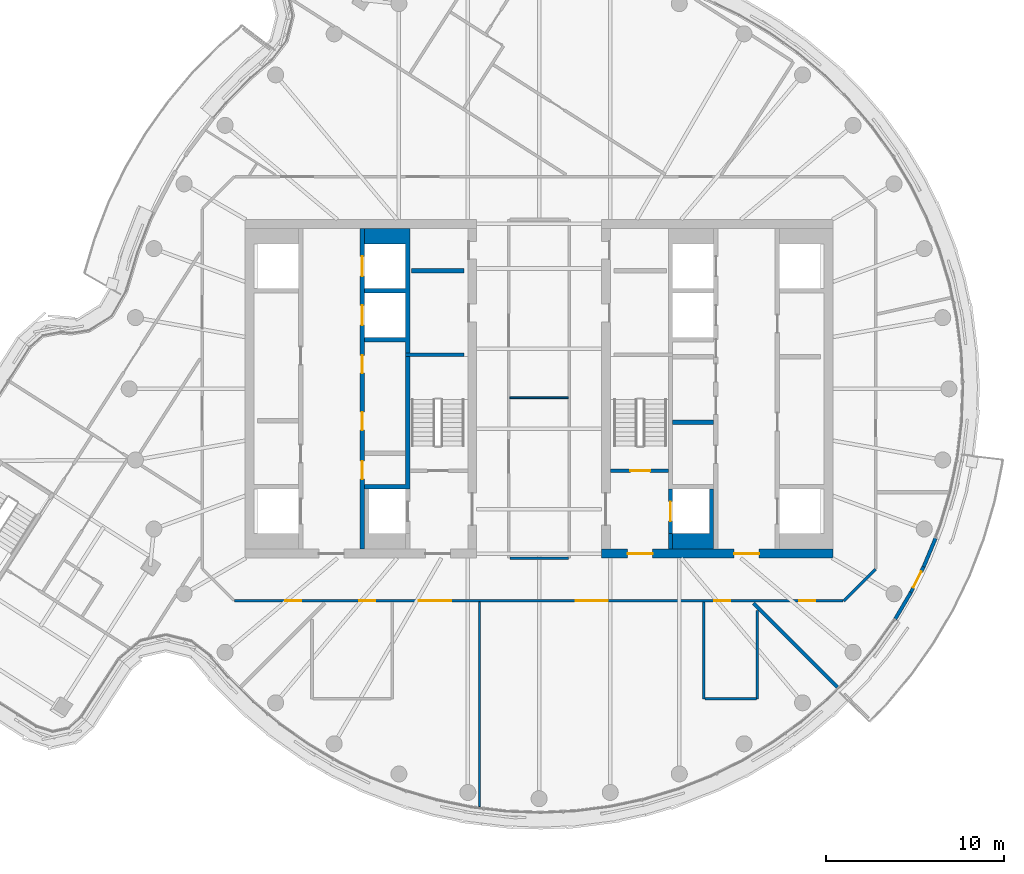
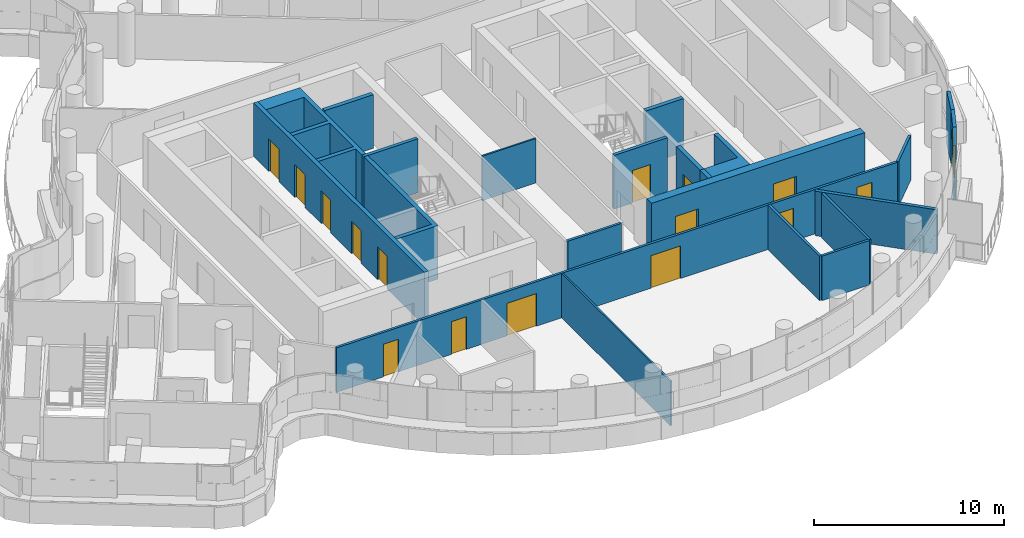
# One storey, part 18 of 27: 22 walls, 16 doors, 16 openings.
"""IFC4 building model written with IfcOpenShell, lengths in metres."""

from ifc_helpers import new_model, si_unit, direction, frame, frame_2d, origin, place, context, subcontext, project, spatial, polyline, rectangle, outline, extrude, material, layer, layer_set, type_object, element, fill, save


model = new_model("IFC4")

# Units and contexts
model_context = context("Model", 3, precision=1e-05, world=origin(), true_north=direction((0.0, 1.0)))
body_context = subcontext(model_context, "Body", "Model", "MODEL_VIEW")
ifc_project = project(units=[si_unit("LENGTHUNIT", "METRE"), si_unit("AREAUNIT", "SQUARE_METRE"), si_unit("VOLUMEUNIT", "CUBIC_METRE"), si_unit("PLANEANGLEUNIT", "RADIAN"), si_unit("MASSUNIT", "GRAM", prefix="KILO")], contexts=[model_context])

# Site, building, storey
site_placement = place(None, origin())
site = spatial("IfcSite", under=ifc_project, at=site_placement, CompositionType="ELEMENT")
building_placement = place(site_placement, origin())
building = spatial("IfcBuilding", under=site, at=building_placement, Name="Tamarind Cross Interchange Tower", CompositionType="ELEMENT")
storey_placement = place(building_placement, frame((0.0, 0.0, 241.5)))
storey = spatial("IfcBuildingStorey", under=building, at=storey_placement, Name="L61", CompositionType="ELEMENT", Elevation=241.5)

# Walls
ifc_material_1 = material(Name="Concrete C40", Category="concrete")
ifc_layer_1 = layer(ifc_material_1, 0.199951171875)
ifc_layer_set_1 = layer_set([ifc_layer_1], Name="Concrete C40")
wall_type_1 = type_object("IfcWallType", Name="Balcony and garden door wall", PredefinedType="SOLIDWALL", material=ifc_layer_set_1)
wall_1_placement = place(storey_placement, frame((19.984130859375, -12.916748046875, 0.0), z_axis=(0.0, 0.0, 1.0), x_axis=(0.508156160985, 0.861264951135, 0.0)))
element("IfcWall", 1, at=wall_1_placement, inside=storey, type_object=wall_type_1, Name="EXW-L61-02-D11L", PredefinedType="SOLIDWALL", context=body_context, shape_type="SweptSolid", body=[
    extrude(rectangle(XDim=1.73681640625, YDim=0.199951171875, at=frame_2d((0.868408203125, 0.0))), origin(), (0.0, 0.0, 1.0), 3.4599609375),
])
wall_2_placement = place(storey_placement, frame((21.5791015625, -9.989013671875, 0.0), z_axis=(0.0, 0.0, 1.0), x_axis=(0.385174693912, 0.92284367862, 0.0)))
element("IfcWall", 2, at=wall_2_placement, inside=storey, type_object=wall_type_1, Name="EXW-L61-02-D11R", PredefinedType="SOLIDWALL", context=body_context, shape_type="SweptSolid", body=[
    extrude(rectangle(XDim=1.7353515625, YDim=0.199951171875, at=frame_2d((0.86767578125, 0.0))), origin(), (0.0, 0.0, 1.0), 3.4599609375),
])

# Wall, opening, door
wall_3_placement = place(storey_placement, frame((20.86669921875, -11.4208984375, 0.0), z_axis=(0.0, 0.0, 1.0), x_axis=(0.445441942317, 0.895310826487, 0.0)))
wall_3 = element("IfcWall", 3, at=wall_3_placement, inside=storey, type_object=wall_type_1, Name="EXW-L61-02-D11", PredefinedType="SOLIDWALL", context=body_context, shape_type="SweptSolid", body=[
    extrude(rectangle(XDim=1.599365234375, YDim=0.199951171875, at=frame_2d((0.7998046875, 0.0))), origin(), (0.0, 0.0, 1.0), 3.4599609375),
])
opening_1_placement = place(wall_3_placement, frame((0.299560546875, 0.0, 0.0)))
opening_1 = element("IfcOpeningElement", 4, at=opening_1_placement, cuts=wall_3, Name="Opening D2", PredefinedType="OPENING", context=body_context, shape_type="SweptSolid", body=[
    extrude(rectangle(XDim=1.0, YDim=2.39990234375, at=frame_2d((0.5, 1.199951171875))), frame((0.0, 0.10986328125, 0.0), z_axis=(0.0, -1.0, 0.0), x_axis=(1.0, 0.0, 0.0)), (0.0, 0.0, 1.0), 0.219970703125),
])
ifc_material_2 = material(Name="Aluminium and toughened glass", Category="aluminium")
door_type_1 = type_object("IfcDoorType", Name="Balcony and garden door", OperationType="SINGLE_SWING_LEFT", PredefinedType="DOOR", material=ifc_material_2)
door_1_placement = place(opening_1_placement, origin())
door_1 = element("IfcDoor", 5, at=door_1_placement, inside=storey, type_object=door_type_1, Name="DOR-L61-02-11", OperationType="SINGLE_SWING_LEFT", OverallHeight=2.39990234375, OverallWidth=1.0, PredefinedType="DOOR", context=body_context, shape_type="SweptSolid", body=[
    extrude(rectangle(XDim=1.0, YDim=2.39990234375, at=frame_2d((0.5, 1.199951171875))), frame((0.0, 0.02490234375, 0.0), z_axis=(0.0, -1.0, 0.0), x_axis=(1.0, 0.0, 0.0)), (0.0, 0.0, 1.0), 0.050048828125),
])
fill(opening_1, door_1)

# Wall, openings, doors
ifc_material_3 = material(Name="Concrete C50", Category="concrete")
ifc_layer_2 = layer(ifc_material_3, 0.5)
ifc_layer_set_2 = layer_set([ifc_layer_2], Name="Concrete C50")
wall_type_2 = type_object("IfcWallType", Name="Core wall 500 mm Concrete C50", PredefinedType="SHEAR", material=ifc_layer_set_2)
wall_4_placement = place(storey_placement, frame((16.5, -9.25, 0.0), z_axis=(0.0, 0.0, 1.0), x_axis=(-1.0, 0.0, 0.0)))
wall_4 = element("IfcWall", 6, at=wall_4_placement, inside=storey, type_object=wall_type_2, Name="Core wall CWL-L61-E-S", PredefinedType="SHEAR", context=body_context, shape_type="SweptSolid", body=[
    extrude(rectangle(XDim=13.0, YDim=0.5, at=frame_2d((6.5, 0.0))), origin(), (0.0, 0.0, 1.0), 3.4599609375),
])
opening_2_placement = place(wall_4_placement, frame((4.14990234375, 0.0, 0.0)))
opening_2 = element("IfcOpeningElement", 7, at=opening_2_placement, cuts=wall_4, Name="Opening DCE1", PredefinedType="OPENING", context=body_context, shape_type="SweptSolid", body=[
    extrude(rectangle(XDim=1.39990234375, YDim=2.10009765625, at=frame_2d((0.699951171875, 1.050048828125))), frame((0.0, 0.260009765625, 0.0), z_axis=(0.0, -1.0, 0.0), x_axis=(1.0, 0.0, 0.0)), (0.0, 0.0, 1.0), 0.52001953125),
])
opening_3_placement = place(wall_4_placement, frame((10.125, 0.0, 0.0)))
opening_3 = element("IfcOpeningElement", 8, at=opening_3_placement, cuts=wall_4, Name="Opening DCEF", PredefinedType="OPENING", context=body_context, shape_type="SweptSolid", body=[
    extrude(rectangle(XDim=1.39990234375, YDim=2.10009765625, at=frame_2d((0.699951171875, 1.050048828125))), frame((0.0, 0.260009765625, 0.0), z_axis=(0.0, -1.0, 0.0), x_axis=(1.0, 0.0, 0.0)), (0.0, 0.0, 1.0), 0.52001953125),
])
ifc_material_4 = material(Name="Steel, fire-resisting", Category="steel")
door_type_2 = type_object("IfcDoorType", Name="Core fire door 1400 x 2100 FD90", OperationType="SINGLE_SWING_LEFT", PredefinedType="DOOR", material=ifc_material_4)
door_2_placement = place(opening_2_placement, origin())
door_2 = element("IfcDoor", 9, at=door_2_placement, inside=storey, type_object=door_type_2, Name="L61 lift lobby door", OperationType="SINGLE_SWING_LEFT", OverallHeight=2.10009765625, OverallWidth=1.39990234375, PredefinedType="DOOR", context=body_context, shape_type="SweptSolid", body=[
    extrude(rectangle(XDim=1.39990234375, YDim=2.10009765625, at=frame_2d((0.699951171875, 1.050048828125))), frame((0.0, 0.02490234375, 0.0), z_axis=(0.0, -1.0, 0.0), x_axis=(1.0, 0.0, 0.0)), (0.0, 0.0, 1.0), 0.050048828125),
])
fill(opening_2, door_2)
door_3_placement = place(opening_3_placement, origin())
door_3 = element("IfcDoor", 10, at=door_3_placement, inside=storey, type_object=door_type_2, Name="L61 firefighting lobby end door", OperationType="SINGLE_SWING_LEFT", OverallHeight=2.10009765625, OverallWidth=1.39990234375, PredefinedType="DOOR", context=body_context, shape_type="SweptSolid", body=[
    extrude(rectangle(XDim=1.39990234375, YDim=2.10009765625, at=frame_2d((0.699951171875, 1.050048828125))), frame((0.0, 0.02490234375, 0.0), z_axis=(0.0, -1.0, 0.0), x_axis=(1.0, 0.0, 0.0)), (0.0, 0.0, 1.0), 0.050048828125),
])
fill(opening_3, door_3)

# Walls
ifc_layer_3 = layer(ifc_material_3, 0.199951171875)
ifc_layer_set_3 = layer_set([ifc_layer_3], Name="Concrete C50")
wall_type_3 = type_object("IfcWallType", Name="Core web wall 200 mm Concrete C50", PredefinedType="SHEAR", material=ifc_layer_set_3)
wall_5_placement = place(storey_placement, frame((-7.5, 1.89990234375, 0.0), z_axis=(0.0, 0.0, 1.0), x_axis=(1.0, 0.0, 0.0)))
element("IfcWall", 11, at=wall_5_placement, inside=storey, type_object=wall_type_3, Name="Core wall CWL-L61-W-BD", PredefinedType="SHEAR", context=body_context, shape_type="SweptSolid", body=[
    extrude(rectangle(XDim=3.300048828125, YDim=0.199951171875, at=frame_2d((1.64990234375, 0.0))), origin(), (0.0, 0.0, 1.0), 3.4599609375),
])
ifc_layer_4 = layer(ifc_material_3, 0.25)
ifc_layer_set_4 = layer_set([ifc_layer_4], Name="Concrete C50")
wall_type_4 = type_object("IfcWallType", Name="Core web wall 250 mm Concrete C50", PredefinedType="SHEAR", material=ifc_layer_set_4)
wall_6_placement = place(storey_placement, origin())
element("IfcWall", 12, at=wall_6_placement, inside=storey, type_object=wall_type_4, Name="Core wall CWL-L61-W-BN", PredefinedType="SHEAR", context=body_context, shape_type="SweptSolid", body=[
    extrude(outline(polyline([(-9.800048828125, -5.375), (-9.800048828125, -5.625), (-7.5, -5.625), (-7.25, -5.625), (-7.25, 9.0), (-7.5, 9.0), (-9.800048828125, 9.0), (-9.800048828125, 8.125), (-7.5, 8.125), (-7.5, 5.625), (-9.800048828125, 5.625), (-9.800048828125, 5.375), (-7.5, 5.375), (-7.5, 2.875), (-9.800048828125, 2.875), (-9.800048828125, 2.625), (-7.5, 2.625), (-7.5, -5.375), (-9.800048828125, -5.375)])), origin(), (0.0, 0.0, 1.0), 3.4599609375),
])

# Wall, openings, doors
wall_7_placement = place(storey_placement, frame((-9.925048828125, -9.0, 0.0), z_axis=(0.0, 0.0, 1.0), x_axis=(0.0, 1.0, 0.0)))
wall_7 = element("IfcWall", 13, at=wall_7_placement, inside=storey, type_object=wall_type_4, Name="Core wall CWL-L61-W-LB", PredefinedType="SHEAR", context=body_context, shape_type="SweptSolid", body=[
    extrude(rectangle(XDim=18.0, YDim=0.25, at=frame_2d((9.0, 0.0))), origin(), (0.0, 0.0, 1.0), 3.4599609375),
])
opening_4_placement = place(wall_7_placement, frame((12.574951171875, 0.0, 0.0)))
opening_4 = element("IfcOpeningElement", 14, at=opening_4_placement, cuts=wall_7, Name="Opening LD11L61", PredefinedType="OPENING", context=body_context, shape_type="SweptSolid", body=[
    extrude(rectangle(XDim=1.10009765625, YDim=2.10009765625, at=frame_2d((0.550048828125, 1.050048828125))), frame((0.0, 0.135009765625, 0.0), z_axis=(0.0, -1.0, 0.0), x_axis=(1.0, 0.0, 0.0)), (0.0, 0.0, 1.0), 0.27001953125),
])
opening_5_placement = place(wall_7_placement, frame((15.324951171875, 0.0, 0.0)))
opening_5 = element("IfcOpeningElement", 15, at=opening_5_placement, cuts=wall_7, Name="Opening LD12L61", PredefinedType="OPENING", context=body_context, shape_type="SweptSolid", body=[
    extrude(rectangle(XDim=1.10009765625, YDim=2.10009765625, at=frame_2d((0.550048828125, 1.050048828125))), frame((0.0, 0.135009765625, 0.0), z_axis=(0.0, -1.0, 0.0), x_axis=(1.0, 0.0, 0.0)), (0.0, 0.0, 1.0), 0.27001953125),
])
opening_6_placement = place(wall_7_placement, frame((3.9375, 0.0, 0.0)))
opening_6 = element("IfcOpeningElement", 16, at=opening_6_placement, cuts=wall_7, Name="Opening DCW21", PredefinedType="OPENING", context=body_context, shape_type="SweptSolid", body=[
    extrude(rectangle(XDim=1.0, YDim=2.10009765625, at=frame_2d((0.5, 1.050048828125))), frame((0.0, 0.135009765625, 0.0), z_axis=(0.0, -1.0, 0.0), x_axis=(1.0, 0.0, 0.0)), (0.0, 0.0, 1.0), 0.27001953125),
])
opening_7_placement = place(wall_7_placement, frame((6.6875, 0.0, 0.0)))
opening_7 = element("IfcOpeningElement", 17, at=opening_7_placement, cuts=wall_7, Name="Opening DCW22", PredefinedType="OPENING", context=body_context, shape_type="SweptSolid", body=[
    extrude(rectangle(XDim=1.0, YDim=2.10009765625, at=frame_2d((0.5, 1.050048828125))), frame((0.0, 0.135009765625, 0.0), z_axis=(0.0, -1.0, 0.0), x_axis=(1.0, 0.0, 0.0)), (0.0, 0.0, 1.0), 0.27001953125),
])
opening_8_placement = place(wall_7_placement, frame((9.875, 0.0, 0.0)))
opening_8 = element("IfcOpeningElement", 18, at=opening_8_placement, cuts=wall_7, Name="Opening DCW21", PredefinedType="OPENING", context=body_context, shape_type="SweptSolid", body=[
    extrude(rectangle(XDim=1.0, YDim=2.10009765625, at=frame_2d((0.5, 1.050048828125))), frame((0.0, 0.135009765625, 0.0), z_axis=(0.0, -1.0, 0.0), x_axis=(1.0, 0.0, 0.0)), (0.0, 0.0, 1.0), 0.27001953125),
])
door_type_3 = type_object("IfcDoorType", Name="Core fire door 1000 x 2100 FD90", OperationType="SINGLE_SWING_LEFT", PredefinedType="DOOR", material=ifc_material_4)
door_4_placement = place(opening_6_placement, origin())
door_4 = element("IfcDoor", 19, at=door_4_placement, inside=storey, type_object=door_type_3, Name="L61 Hotel pantry door", OperationType="SINGLE_SWING_LEFT", OverallHeight=2.10009765625, OverallWidth=1.0, PredefinedType="DOOR", context=body_context, shape_type="SweptSolid", body=[
    extrude(rectangle(XDim=1.0, YDim=2.10009765625, at=frame_2d((0.5, 1.050048828125))), frame((0.0, 0.02490234375, 0.0), z_axis=(0.0, -1.0, 0.0), x_axis=(1.0, 0.0, 0.0)), (0.0, 0.0, 1.0), 0.050048828125),
])
fill(opening_6, door_4)
door_5_placement = place(opening_7_placement, origin())
door_5 = element("IfcDoor", 20, at=door_5_placement, inside=storey, type_object=door_type_3, Name="L61 Staff changing room door", OperationType="SINGLE_SWING_LEFT", OverallHeight=2.10009765625, OverallWidth=1.0, PredefinedType="DOOR", context=body_context, shape_type="SweptSolid", body=[
    extrude(rectangle(XDim=1.0, YDim=2.10009765625, at=frame_2d((0.5, 1.050048828125))), frame((0.0, 0.02490234375, 0.0), z_axis=(0.0, -1.0, 0.0), x_axis=(1.0, 0.0, 0.0)), (0.0, 0.0, 1.0), 0.050048828125),
])
fill(opening_7, door_5)
door_6_placement = place(opening_8_placement, origin())
door_6 = element("IfcDoor", 21, at=door_6_placement, inside=storey, type_object=door_type_3, Name="L61 Hotel pantry door", OperationType="SINGLE_SWING_LEFT", OverallHeight=2.10009765625, OverallWidth=1.0, PredefinedType="DOOR", context=body_context, shape_type="SweptSolid", body=[
    extrude(rectangle(XDim=1.0, YDim=2.10009765625, at=frame_2d((0.5, 1.050048828125))), frame((0.0, 0.02490234375, 0.0), z_axis=(0.0, -1.0, 0.0), x_axis=(1.0, 0.0, 0.0)), (0.0, 0.0, 1.0), 0.050048828125),
])
fill(opening_8, door_6)
ifc_material_5 = material(Name="Stainless steel panel", Category="steel")
door_type_4 = type_object("IfcDoorType", Name="Lift landing door 1100 x 2100 E 120", OperationType="SLIDING_TO_LEFT", PredefinedType="DOOR", material=ifc_material_5)
door_7_placement = place(opening_4_placement, origin())
door_7 = element("IfcDoor", 22, at=door_7_placement, inside=storey, type_object=door_type_4, Name="L61 landing door LF11", OperationType="SLIDING_TO_LEFT", OverallHeight=2.10009765625, OverallWidth=1.10009765625, PredefinedType="DOOR", context=body_context, shape_type="SweptSolid", body=[
    extrude(rectangle(XDim=1.10009765625, YDim=2.10009765625, at=frame_2d((0.550048828125, 1.050048828125))), frame((0.0, 0.02490234375, 0.0), z_axis=(0.0, -1.0, 0.0), x_axis=(1.0, 0.0, 0.0)), (0.0, 0.0, 1.0), 0.050048828125),
])
fill(opening_4, door_7)
door_8_placement = place(opening_5_placement, origin())
door_8 = element("IfcDoor", 23, at=door_8_placement, inside=storey, type_object=door_type_4, Name="L61 landing door LF12", OperationType="SLIDING_TO_LEFT", OverallHeight=2.10009765625, OverallWidth=1.10009765625, PredefinedType="DOOR", context=body_context, shape_type="SweptSolid", body=[
    extrude(rectangle(XDim=1.10009765625, YDim=2.10009765625, at=frame_2d((0.550048828125, 1.050048828125))), frame((0.0, 0.02490234375, 0.0), z_axis=(0.0, -1.0, 0.0), x_axis=(1.0, 0.0, 0.0)), (0.0, 0.0, 1.0), 0.050048828125),
])
fill(opening_5, door_8)

# Walls
wall_8_placement = place(storey_placement, origin())
element("IfcWall", 24, at=wall_8_placement, inside=storey, type_object=wall_type_4, Name="Core wall CWL-L61-E-BS", PredefinedType="SHEAR", context=body_context, shape_type="SweptSolid", body=[
    extrude(outline(polyline([(7.5, -8.125), (7.5, -9.0), (9.800048828125, -9.0), (9.800048828125, -8.125), (9.800048828125, -5.625), (9.550048828125, -5.625), (9.550048828125, -8.125), (7.5, -8.125)])), origin(), (0.0, 0.0, 1.0), 3.4599609375),
])
wall_9_placement = place(storey_placement, frame((7.375, -9.0, 0.0), z_axis=(0.0, 0.0, 1.0), x_axis=(0.0, 1.0, 0.0)))
element("IfcWall", 25, at=wall_9_placement, inside=storey, type_object=wall_type_4, Name="Core wall CWL-L61-E-BW", PredefinedType="SHEAR", context=body_context, shape_type="SweptSolid", body=[
    extrude(rectangle(XDim=0.875, YDim=0.25, at=frame_2d((0.4375, 0.0))), origin(), (0.0, 0.0, 1.0), 3.4599609375),
])

# Wall, opening, door
wall_10_placement = place(storey_placement, frame((7.375, -8.125, 0.0), z_axis=(0.0, 0.0, 1.0), x_axis=(0.0, 1.0, 0.0)))
wall_10 = element("IfcWall", 26, at=wall_10_placement, inside=storey, type_object=wall_type_4, Name="Core wall CWL-L61-E-FF", PredefinedType="SHEAR", context=body_context, shape_type="SweptSolid", body=[
    extrude(rectangle(XDim=2.5, YDim=0.25, at=frame_2d((1.25, 0.0))), origin(), (0.0, 0.0, 1.0), 3.4599609375),
])
opening_9_placement = place(wall_10_placement, frame((0.699951171875, 0.0, 0.0)))
opening_9 = element("IfcOpeningElement", 27, at=opening_9_placement, cuts=wall_10, Name="Opening LD19L61", PredefinedType="OPENING", context=body_context, shape_type="SweptSolid", body=[
    extrude(rectangle(XDim=1.10009765625, YDim=2.10009765625, at=frame_2d((0.550048828125, 1.050048828125))), frame((0.0, 0.135009765625, 0.0), z_axis=(0.0, -1.0, 0.0), x_axis=(1.0, 0.0, 0.0)), (0.0, 0.0, 1.0), 0.27001953125),
])
door_9_placement = place(opening_9_placement, origin())
door_9 = element("IfcDoor", 28, at=door_9_placement, inside=storey, type_object=door_type_4, Name="L61 landing door LF19", OperationType="SLIDING_TO_LEFT", OverallHeight=2.10009765625, OverallWidth=1.10009765625, PredefinedType="DOOR", context=body_context, shape_type="SweptSolid", body=[
    extrude(rectangle(XDim=1.10009765625, YDim=2.10009765625, at=frame_2d((0.550048828125, 1.050048828125))), frame((0.0, 0.02490234375, 0.0), z_axis=(0.0, -1.0, 0.0), x_axis=(1.0, 0.0, 0.0)), (0.0, 0.0, 1.0), 0.050048828125),
])
fill(opening_9, door_9)

# Walls
ifc_material_6 = material(Name="Gypsum board partition on steel studs", Category="steel")
ifc_layer_5 = layer(ifc_material_6, 0.10009765625)
ifc_layer_set_5 = layer_set([ifc_layer_5], Name="Gypsum board partition on steel studs")
wall_type_5 = type_object("IfcWallType", Name="Partition 100 mm EI 120", PredefinedType="PARTITIONING", material=ifc_layer_set_5)
wall_11_placement = place(storey_placement, frame((-1.639892578125, -0.5, 0.0), z_axis=(0.0, 0.0, 1.0), x_axis=(1.0, 0.0, 0.0)))
element("IfcWall", 29, at=wall_11_placement, inside=storey, type_object=wall_type_5, Name="Partition L61-029", PredefinedType="PARTITIONING", context=body_context, shape_type="SweptSolid", body=[
    extrude(rectangle(XDim=3.27978515625, YDim=0.10009765625, at=frame_2d((1.639892578125, 0.0))), origin(), (0.0, 0.0, 1.0), 2.864013671875),
])
ifc_layer_6 = layer(ifc_material_6, 0.10009765625)
ifc_layer_set_6 = layer_set([ifc_layer_6], Name="Gypsum board partition on steel studs")
wall_type_6 = type_object("IfcWallType", Name="Partition 100 mm EI 90", PredefinedType="PARTITIONING", material=ifc_layer_set_6)
wall_12_placement = place(storey_placement, frame((-3.347900390625, -23.4423828125, 0.0), z_axis=(0.0, 0.0, 1.0), x_axis=(0.0, 1.0, 0.0)))
element("IfcWall", 30, at=wall_12_placement, inside=storey, type_object=wall_type_6, Name="Partition L61-056", PredefinedType="PARTITIONING", context=body_context, shape_type="SweptSolid", body=[
    extrude(rectangle(XDim=11.4873046875, YDim=0.10009765625, at=frame_2d((5.74365234375, 0.0))), origin(), (0.0, 0.0, 1.0), 2.864013671875),
])

# Wall, openings, doors
ifc_layer_7 = layer(ifc_material_6, 0.14990234375)
ifc_layer_set_7 = layer_set([ifc_layer_7], Name="Gypsum board partition on steel studs")
wall_type_7 = type_object("IfcWallType", Name="Partition 150 mm EI 120", PredefinedType="PARTITIONING", material=ifc_layer_set_7)
wall_13_placement = place(storey_placement, frame((-17.10009765625, -11.89990234375, 0.0), z_axis=(0.0, 0.0, 1.0), x_axis=(1.0, 0.0, 0.0)))
wall_13 = element("IfcWall", 31, at=wall_13_placement, inside=storey, type_object=wall_type_7, Name="Partition L61-024", PredefinedType="PARTITIONING", context=body_context, shape_type="SweptSolid", body=[
    extrude(rectangle(XDim=34.1650390625, YDim=0.14990234375, at=frame_2d((17.08251953125, 0.0))), origin(), (0.0, 0.0, 1.0), 2.864013671875),
])
opening_10_placement = place(wall_13_placement, frame((7.0, 0.0, 0.0)))
opening_10 = element("IfcOpeningElement", 32, at=opening_10_placement, cuts=wall_13, Name="Opening D10", PredefinedType="OPENING", context=body_context, shape_type="SweptSolid", body=[
    extrude(rectangle(XDim=0.89990234375, YDim=2.10009765625, at=frame_2d((0.449951171875, 1.050048828125))), frame((0.0, 0.0849609375, 0.0), z_axis=(0.0, -1.0, 0.0), x_axis=(1.0, 0.0, 0.0)), (0.0, 0.0, 1.0), 0.169921875),
])
opening_11_placement = place(wall_13_placement, frame((26.94091796875, 0.0, 0.0)))
opening_11 = element("IfcOpeningElement", 33, at=opening_11_placement, cuts=wall_13, Name="Opening D11", PredefinedType="OPENING", context=body_context, shape_type="SweptSolid", body=[
    extrude(rectangle(XDim=0.89990234375, YDim=2.10009765625, at=frame_2d((0.449951171875, 1.050048828125))), frame((0.0, 0.0849609375, 0.0), z_axis=(0.0, -1.0, 0.0), x_axis=(1.0, 0.0, 0.0)), (0.0, 0.0, 1.0), 0.169921875),
])
opening_12_placement = place(wall_13_placement, frame((19.152099609375, 0.0, 0.0)))
opening_12 = element("IfcOpeningElement", 34, at=opening_12_placement, cuts=wall_13, Name="Opening D12", PredefinedType="OPENING", context=body_context, shape_type="SweptSolid", body=[
    extrude(rectangle(XDim=1.800048828125, YDim=2.10009765625, at=frame_2d((0.89990234375, 1.050048828125))), frame((0.0, 0.0849609375, 0.0), z_axis=(0.0, -1.0, 0.0), x_axis=(1.0, 0.0, 0.0)), (0.0, 0.0, 1.0), 0.169921875),
])
opening_13_placement = place(wall_13_placement, frame((10.35888671875, 0.0, 0.0)))
opening_13 = element("IfcOpeningElement", 35, at=opening_13_placement, cuts=wall_13, Name="Opening D13", PredefinedType="OPENING", context=body_context, shape_type="SweptSolid", body=[
    extrude(rectangle(XDim=1.800048828125, YDim=2.10009765625, at=frame_2d((0.89990234375, 1.050048828125))), frame((0.0, 0.0849609375, 0.0), z_axis=(0.0, -1.0, 0.0), x_axis=(1.0, 0.0, 0.0)), (0.0, 0.0, 1.0), 0.169921875),
])
opening_14_placement = place(wall_13_placement, frame((31.699951171875, 0.0, 0.0)))
opening_14 = element("IfcOpeningElement", 36, at=opening_14_placement, cuts=wall_13, Name="Opening D14", PredefinedType="OPENING", context=body_context, shape_type="SweptSolid", body=[
    extrude(rectangle(XDim=0.89990234375, YDim=2.10009765625, at=frame_2d((0.449951171875, 1.050048828125))), frame((0.0, 0.0849609375, 0.0), z_axis=(0.0, -1.0, 0.0), x_axis=(1.0, 0.0, 0.0)), (0.0, 0.0, 1.0), 0.169921875),
])
opening_15_placement = place(wall_13_placement, frame((2.85009765625, 0.0, 0.0)))
opening_15 = element("IfcOpeningElement", 37, at=opening_15_placement, cuts=wall_13, Name="Opening D15", PredefinedType="OPENING", context=body_context, shape_type="SweptSolid", body=[
    extrude(rectangle(XDim=0.89990234375, YDim=2.10009765625, at=frame_2d((0.449951171875, 1.050048828125))), frame((0.0, 0.0849609375, 0.0), z_axis=(0.0, -1.0, 0.0), x_axis=(1.0, 0.0, 0.0)), (0.0, 0.0, 1.0), 0.169921875),
])
ifc_material_7 = material(Name="Fire-resisting door set")
door_type_5 = type_object("IfcDoorType", Name="Interior door 1800 x 2100 FD60S", OperationType="DOUBLE_DOOR_SINGLE_SWING", PredefinedType="DOOR", material=ifc_material_7)
door_10_placement = place(opening_12_placement, origin())
door_10 = element("IfcDoor", 38, at=door_10_placement, inside=storey, type_object=door_type_5, Name="Door D12", OperationType="DOUBLE_DOOR_SINGLE_SWING", OverallHeight=2.10009765625, OverallWidth=1.800048828125, PredefinedType="DOOR", context=body_context, shape_type="SweptSolid", body=[
    extrude(rectangle(XDim=1.800048828125, YDim=2.10009765625, at=frame_2d((0.89990234375, 1.050048828125))), frame((0.0, 0.02490234375, 0.0), z_axis=(0.0, -1.0, 0.0), x_axis=(1.0, 0.0, 0.0)), (0.0, 0.0, 1.0), 0.050048828125),
])
fill(opening_12, door_10)
door_11_placement = place(opening_13_placement, frame((1.800048828125, 0.0, 0.0), z_axis=(0.0, 0.0, 1.0), x_axis=(-1.0, 0.0, 0.0)))
door_11 = element("IfcDoor", 39, at=door_11_placement, inside=storey, type_object=door_type_5, Name="Door D13", OperationType="DOUBLE_DOOR_SINGLE_SWING", OverallHeight=2.10009765625, OverallWidth=1.800048828125, PredefinedType="DOOR", context=body_context, shape_type="SweptSolid", body=[
    extrude(rectangle(XDim=1.800048828125, YDim=2.10009765625, at=frame_2d((0.89990234375, 1.050048828125))), frame((0.0, 0.02490234375, 0.0), z_axis=(0.0, -1.0, 0.0), x_axis=(1.0, 0.0, 0.0)), (0.0, 0.0, 1.0), 0.050048828125),
])
fill(opening_13, door_11)
door_type_6 = type_object("IfcDoorType", Name="Interior door 900 x 2100 FD60S", OperationType="SINGLE_SWING_LEFT", PredefinedType="DOOR", material=ifc_material_7)
door_12_placement = place(opening_10_placement, frame((0.89990234375, 0.0, 0.0), z_axis=(0.0, 0.0, 1.0), x_axis=(-1.0, 0.0, 0.0)))
door_12 = element("IfcDoor", 40, at=door_12_placement, inside=storey, type_object=door_type_6, Name="Door D10", OperationType="SINGLE_SWING_LEFT", OverallHeight=2.10009765625, OverallWidth=0.89990234375, PredefinedType="DOOR", context=body_context, shape_type="SweptSolid", body=[
    extrude(rectangle(XDim=0.89990234375, YDim=2.10009765625, at=frame_2d((0.449951171875, 1.050048828125))), frame((0.0, 0.02490234375, 0.0), z_axis=(0.0, -1.0, 0.0), x_axis=(1.0, 0.0, 0.0)), (0.0, 0.0, 1.0), 0.050048828125),
])
fill(opening_10, door_12)
door_13_placement = place(opening_11_placement, frame((0.89990234375, 0.0, 0.0), z_axis=(0.0, 0.0, 1.0), x_axis=(-1.0, 0.0, 0.0)))
door_13 = element("IfcDoor", 41, at=door_13_placement, inside=storey, type_object=door_type_6, Name="Door D11", OperationType="SINGLE_SWING_RIGHT", OverallHeight=2.10009765625, OverallWidth=0.89990234375, PredefinedType="DOOR", context=body_context, shape_type="SweptSolid", body=[
    extrude(rectangle(XDim=0.89990234375, YDim=2.10009765625, at=frame_2d((0.449951171875, 1.050048828125))), frame((0.0, 0.02490234375, 0.0), z_axis=(0.0, -1.0, 0.0), x_axis=(1.0, 0.0, 0.0)), (0.0, 0.0, 1.0), 0.050048828125),
])
fill(opening_11, door_13)
door_14_placement = place(opening_14_placement, frame((0.89990234375, 0.0, 0.0), z_axis=(0.0, 0.0, 1.0), x_axis=(-1.0, 0.0, 0.0)))
door_14 = element("IfcDoor", 42, at=door_14_placement, inside=storey, type_object=door_type_6, Name="Door D14", OperationType="SINGLE_SWING_RIGHT", OverallHeight=2.10009765625, OverallWidth=0.89990234375, PredefinedType="DOOR", context=body_context, shape_type="SweptSolid", body=[
    extrude(rectangle(XDim=0.89990234375, YDim=2.10009765625, at=frame_2d((0.449951171875, 1.050048828125))), frame((0.0, 0.02490234375, 0.0), z_axis=(0.0, -1.0, 0.0), x_axis=(1.0, 0.0, 0.0)), (0.0, 0.0, 1.0), 0.050048828125),
])
fill(opening_14, door_14)
door_15_placement = place(opening_15_placement, frame((0.89990234375, 0.0, 0.0), z_axis=(0.0, 0.0, 1.0), x_axis=(-1.0, 0.0, 0.0)))
door_15 = element("IfcDoor", 43, at=door_15_placement, inside=storey, type_object=door_type_6, Name="Door D15", OperationType="SINGLE_SWING_LEFT", OverallHeight=2.10009765625, OverallWidth=0.89990234375, PredefinedType="DOOR", context=body_context, shape_type="SweptSolid", body=[
    extrude(rectangle(XDim=0.89990234375, YDim=2.10009765625, at=frame_2d((0.449951171875, 1.050048828125))), frame((0.0, 0.02490234375, 0.0), z_axis=(0.0, -1.0, 0.0), x_axis=(1.0, 0.0, 0.0)), (0.0, 0.0, 1.0), 0.050048828125),
])
fill(opening_15, door_15)

# Walls
wall_14_placement = place(storey_placement, frame((9.2958984375, -17.39990234375, 0.0), z_axis=(0.0, 0.0, 1.0), x_axis=(1.0, 0.0, 0.0)))
element("IfcWall", 44, at=wall_14_placement, inside=storey, type_object=wall_type_7, Name="Partition L61-027", PredefinedType="PARTITIONING", context=body_context, shape_type="SweptSolid", body=[
    extrude(rectangle(XDim=2.89013671875, YDim=0.14990234375, at=frame_2d((1.445068359375, 0.0))), origin(), (0.0, 0.0, 1.0), 2.864013671875),
])
wall_15_placement = place(storey_placement, frame((-1.639892578125, -9.5, 0.0), z_axis=(0.0, 0.0, 1.0), x_axis=(1.0, 0.0, 0.0)))
element("IfcWall", 45, at=wall_15_placement, inside=storey, type_object=wall_type_7, Name="Partition L61-028", PredefinedType="PARTITIONING", context=body_context, shape_type="SweptSolid", body=[
    extrude(rectangle(XDim=3.27978515625, YDim=0.14990234375, at=frame_2d((1.639892578125, 0.0))), origin(), (0.0, 0.0, 1.0), 2.864013671875),
])
wall_16_placement = place(storey_placement, frame((17.10009765625, -11.89990234375, 0.0), z_axis=(0.0, 0.0, 1.0), x_axis=(0.707106781187, 0.707106781187, 0.0)))
element("IfcWall", 46, at=wall_16_placement, inside=storey, type_object=wall_type_7, Name="Partition L61-035", PredefinedType="PARTITIONING", context=body_context, shape_type="SweptSolid", body=[
    extrude(rectangle(XDim=2.50537109375, YDim=0.14990234375, at=frame_2d((1.252685546875, 0.0))), origin(), (0.0, 0.0, 1.0), 2.864013671875),
])
wall_17_placement = place(storey_placement, frame((9.240966796875, -17.39990234375, 0.0), z_axis=(0.0, 0.0, 1.0), x_axis=(0.0, 1.0, 0.0)))
element("IfcWall", 47, at=wall_17_placement, inside=storey, type_object=wall_type_7, Name="Partition L61-059", PredefinedType="PARTITIONING", context=body_context, shape_type="SweptSolid", body=[
    extrude(rectangle(XDim=5.44482421875, YDim=0.14990234375, at=frame_2d((2.722412109375, 0.0))), origin(), (0.0, 0.0, 1.0), 2.864013671875),
])
wall_18_placement = place(storey_placement, frame((12.240966796875, -17.39990234375, 0.0), z_axis=(0.0, 0.0, 1.0), x_axis=(0.0, 1.0, 0.0)))
element("IfcWall", 48, at=wall_18_placement, inside=storey, type_object=wall_type_7, Name="Partition L61-060", PredefinedType="PARTITIONING", context=body_context, shape_type="SweptSolid", body=[
    extrude(rectangle(XDim=4.958984375, YDim=0.14990234375, at=frame_2d((2.4794921875, 0.0))), origin(), (0.0, 0.0, 1.0), 2.864013671875),
])
ifc_layer_8 = layer(ifc_material_6, 0.199951171875)
ifc_layer_set_8 = layer_set([ifc_layer_8], Name="Gypsum board partition on steel studs")
wall_type_8 = type_object("IfcWallType", Name="Partition 200 mm EI 180", PredefinedType="PARTITIONING", material=ifc_layer_set_8)
wall_19_placement = place(storey_placement, frame((12.02734375, -12.02734375, 0.0), z_axis=(0.0, 0.0, 1.0), x_axis=(0.707106781187, -0.707106781187, 0.0)))
element("IfcWall", 49, at=wall_19_placement, inside=storey, type_object=wall_type_8, Name="Partition L61-002", PredefinedType="PARTITIONING", context=body_context, shape_type="SweptSolid", body=[
    extrude(rectangle(XDim=6.665283203125, YDim=0.199951171875, at=frame_2d((3.33251953125, 0.0))), origin(), (0.0, 0.0, 1.0), 2.864013671875),
])
ifc_layer_9 = layer(ifc_material_1, 0.25)
ifc_layer_set_9 = layer_set([ifc_layer_9], Name="Concrete C40")
wall_type_9 = type_object("IfcWallType", Name="Shaft and lobby wall 250 mm Concrete C40", PredefinedType="PARTITIONING", material=ifc_layer_set_9)
wall_20_placement = place(storey_placement, frame((-7.14990234375, 6.6240234375, 0.0), z_axis=(0.0, 0.0, 1.0), x_axis=(1.0, 0.0, 0.0)))
element("IfcWall", 50, at=wall_20_placement, inside=storey, type_object=wall_type_9, Name="Shaft wall CWL-L61-W-SVP", PredefinedType="PARTITIONING", context=body_context, shape_type="SweptSolid", body=[
    extrude(rectangle(XDim=2.949951171875, YDim=0.25, at=frame_2d((1.47509765625, 0.0))), origin(), (0.0, 0.0, 1.0), 3.4599609375),
])
wall_21_placement = place(storey_placement, frame((9.800048828125, -1.875, 0.0), z_axis=(0.0, 0.0, 1.0), x_axis=(-1.0, 0.0, 0.0)))
element("IfcWall", 51, at=wall_21_placement, inside=storey, type_object=wall_type_9, Name="Shaft wall CWL-L61-E-FPB1", PredefinedType="PARTITIONING", context=body_context, shape_type="SweptSolid", body=[
    extrude(rectangle(XDim=2.300048828125, YDim=0.25, at=frame_2d((1.14990234375, 0.0))), origin(), (0.0, 0.0, 1.0), 3.4599609375),
])

# Wall, opening, door
ifc_layer_10 = layer(ifc_material_1, 0.199951171875)
ifc_layer_set_10 = layer_set([ifc_layer_10], Name="Concrete C40")
wall_type_10 = type_object("IfcWallType", Name="Stair shaft wall 200 mm Concrete C40", PredefinedType="SHEAR", material=ifc_layer_set_10)
wall_22_placement = place(storey_placement, frame((7.25, -4.60009765625, 0.0), z_axis=(0.0, 0.0, 1.0), x_axis=(-1.0, 0.0, 0.0)))
wall_22 = element("IfcWall", 52, at=wall_22_placement, inside=storey, type_object=wall_type_10, Name="Core wall CWL-L61-E-SD", PredefinedType="SHEAR", context=body_context, shape_type="SweptSolid", body=[
    extrude(rectangle(XDim=3.25, YDim=0.199951171875, at=frame_2d((1.625, 0.0))), origin(), (0.0, 0.0, 1.0), 3.4599609375),
])
opening_16_placement = place(wall_22_placement, frame((1.02490234375, 0.0, 0.0)))
opening_16 = element("IfcOpeningElement", 53, at=opening_16_placement, cuts=wall_22, Name="Opening DCE6", PredefinedType="OPENING", context=body_context, shape_type="SweptSolid", body=[
    extrude(rectangle(XDim=1.10009765625, YDim=2.10009765625, at=frame_2d((0.550048828125, 1.050048828125))), frame((0.0, 0.10986328125, 0.0), z_axis=(0.0, -1.0, 0.0), x_axis=(1.0, 0.0, 0.0)), (0.0, 0.0, 1.0), 0.219970703125),
])
door_type_7 = type_object("IfcDoorType", Name="Core fire door 1100 x 2100 FD90", OperationType="SINGLE_SWING_LEFT", PredefinedType="DOOR", material=ifc_material_4)
door_16_placement = place(opening_16_placement, origin())
door_16 = element("IfcDoor", 54, at=door_16_placement, inside=storey, type_object=door_type_7, Name="L61 stair door", OperationType="SINGLE_SWING_LEFT", OverallHeight=2.10009765625, OverallWidth=1.10009765625, PredefinedType="DOOR", context=body_context, shape_type="SweptSolid", body=[
    extrude(rectangle(XDim=1.10009765625, YDim=2.10009765625, at=frame_2d((0.550048828125, 1.050048828125))), frame((0.0, 0.02490234375, 0.0), z_axis=(0.0, -1.0, 0.0), x_axis=(1.0, 0.0, 0.0)), (0.0, 0.0, 1.0), 0.050048828125),
])
fill(opening_16, door_16)

save(model, "model.ifc")
